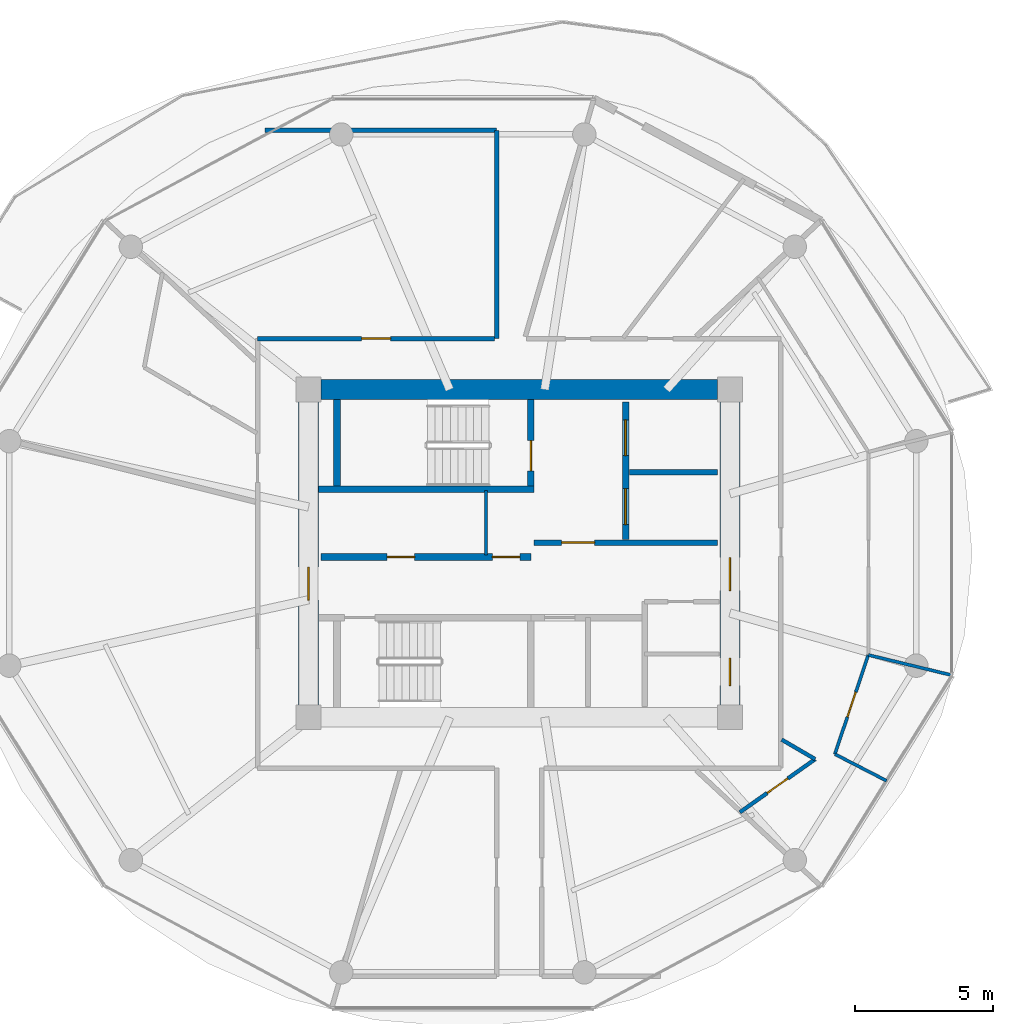
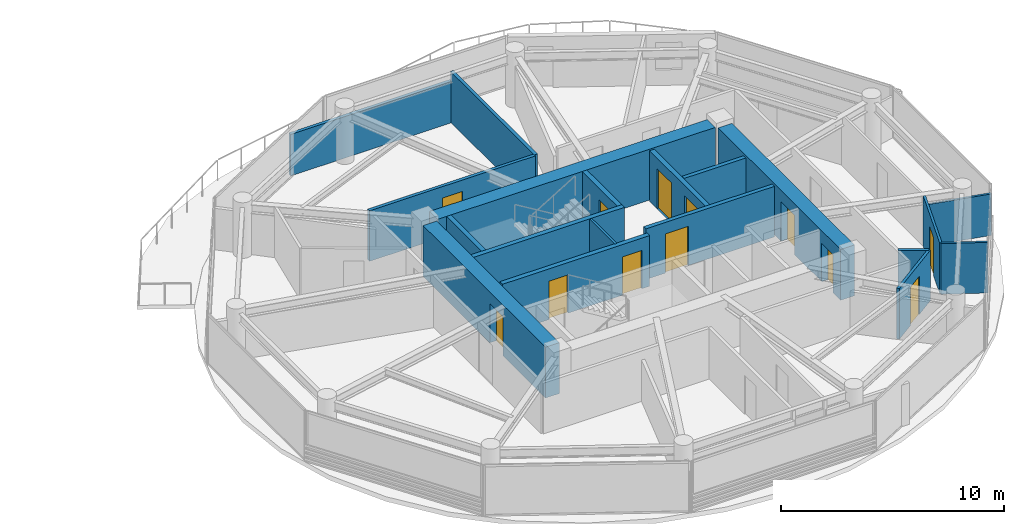
# One storey, part 16 of 24: 19 walls, 12 doors, 12 openings.
"""IFC4 building model written with IfcOpenShell, lengths in metres."""

from ifc_helpers import new_model, si_unit, direction, frame, frame_2d, origin, place, context, subcontext, project, spatial, rectangle, extrude, source, transform, mapped, material, layer, layer_set, type_object, type_shapes, element, fill, save


model = new_model("IFC4")

# Units and contexts
model_context = context("Model", 3, precision=1e-05, world=origin(), true_north=direction((0.0, 1.0)))
body_context = subcontext(model_context, "Body", "Model", "MODEL_VIEW")
ifc_project = project(units=[si_unit("LENGTHUNIT", "METRE"), si_unit("AREAUNIT", "SQUARE_METRE"), si_unit("VOLUMEUNIT", "CUBIC_METRE"), si_unit("PLANEANGLEUNIT", "RADIAN"), si_unit("MASSUNIT", "GRAM", prefix="KILO")], contexts=[model_context])

# Site, building, storey
site_placement = place(None, origin())
site = spatial("IfcSite", under=ifc_project, at=site_placement, CompositionType="ELEMENT")
building_placement = place(site_placement, origin())
building = spatial("IfcBuilding", under=site, at=building_placement, Name="Norrkilde Senior Care Towers", CompositionType="ELEMENT")
storey_placement = place(building_placement, frame((0.0, 0.0, 111.5)))
storey = spatial("IfcBuildingStorey", under=building, at=storey_placement, Name="L34", CompositionType="ELEMENT", Elevation=111.5)

# Wall
ifc_material_1 = material(Name="Concrete C60/75", Category="concrete")
ifc_layer_1 = layer(ifc_material_1, 0.719970703125)
ifc_layer_set_1 = layer_set([ifc_layer_1], Name="Concrete C60/75")
wall_type_1 = type_object("IfcWallType", Name="Core Shear Wall Z2 720", PredefinedType="SHEAR", material=ifc_layer_set_1)
shared_shape_1 = source(origin(), body_context, "Body", "SweptSolid", [
    extrude(rectangle(XDim=14.39990234375, YDim=0.719970703125, at=frame_2d((7.199951171875, 0.0))), origin(), (0.0, 0.0, 1.0), 2.7900390625),
])
wall_1_placement = place(storey_placement, frame((20.800048828125, 5.949951171875, 0.0), z_axis=(0.0, 0.0, 1.0), x_axis=(1.0, 0.0, 0.0)))
element("IfcWall", 1, at=wall_1_placement, inside=storey, type_object=wall_type_1, Name="L34 Core E North Shear Wall", PredefinedType="SHEAR", context=body_context, shape_type="MappedRepresentation", body=[
    mapped(shared_shape_1, transform((0.0, 0.0, 0.0), x_axis=(1.0, 0.0, 0.0), y_axis=(0.0, 1.0, 0.0), z_axis=(0.0, 0.0, 1.0), scale=1.0)),
])

# Wall, opening, door
shared_shape_2 = source(origin(), body_context, "Body", "SweptSolid", [
    extrude(rectangle(XDim=11.0, YDim=0.719970703125, at=frame_2d((5.5, 0.0))), origin(), (0.0, 0.0, 1.0), 2.7900390625),
])
type_shapes(wall_type_1, [shared_shape_1, shared_shape_2])
wall_2_placement = place(storey_placement, frame((20.35009765625, -5.5, 0.0), z_axis=(0.0, 0.0, 1.0), x_axis=(0.0, 1.0, 0.0)))
wall_2 = element("IfcWall", 2, at=wall_2_placement, inside=storey, type_object=wall_type_1, Name="L34 Core E West Shear Wall", PredefinedType="SHEAR", context=body_context, shape_type="MappedRepresentation", body=[
    mapped(shared_shape_2, transform((0.0, 0.0, 0.0), x_axis=(1.0, 0.0, 0.0), y_axis=(0.0, 1.0, 0.0), z_axis=(0.0, 0.0, 1.0), scale=1.0)),
])
opening_1_placement = place(wall_2_placement, frame((3.800048828125, 0.0, 0.0)))
opening_1 = element("IfcOpeningElement", 3, at=opening_1_placement, cuts=wall_2, Name="Opening D-04", PredefinedType="OPENING", context=body_context, shape_type="SweptSolid", body=[
    extrude(rectangle(XDim=1.199951171875, YDim=2.14990234375, at=frame_2d((0.60009765625, 1.074951171875))), frame((0.0, 0.369873046875, 0.0), z_axis=(0.0, -1.0, 0.0), x_axis=(1.0, 0.0, 0.0)), (0.0, 0.0, 1.0), 0.739990234375),
])
ifc_material_2 = material(Name="Galvanised Painted Steel", Category="steel")
door_type_1 = type_object("IfcDoorType", Name="Firefighting Lobby Fire Door 1200x2150", OperationType="NOTDEFINED", PredefinedType="DOOR", material=ifc_material_2)
shared_shape_3 = source(origin(), body_context, "Body", "SweptSolid", [
    extrude(rectangle(XDim=1.199951171875, YDim=2.14990234375, at=frame_2d((0.60009765625, 1.074951171875))), frame((0.0, 0.02490234375, 0.0), z_axis=(0.0, -1.0, 0.0), x_axis=(1.0, 0.0, 0.0)), (0.0, 0.0, 1.0), 0.050048828125),
])
type_shapes(door_type_1, [shared_shape_3])
door_1_placement = place(opening_1_placement, frame((1.199951171875, 0.0, 0.0), z_axis=(0.0, 0.0, 1.0), x_axis=(-1.0, 0.0, 0.0)))
door_1 = element("IfcDoor", 4, at=door_1_placement, inside=storey, type_object=door_type_1, Name="L34 Core E West Portal Door", OperationType="SINGLE_SWING_LEFT", OverallHeight=2.14990234375, OverallWidth=1.199951171875, PredefinedType="DOOR", context=body_context, shape_type="MappedRepresentation", body=[
    mapped(shared_shape_3, transform((0.0, 0.0, 0.0), x_axis=(1.0, 0.0, 0.0), y_axis=(0.0, 1.0, 0.0), z_axis=(0.0, 0.0, 1.0), scale=1.0)),
])
fill(opening_1, door_1)

# Wall, openings, doors
wall_3_placement = place(storey_placement, frame((35.64990234375, 5.5, 0.0), z_axis=(0.0, 0.0, 1.0), x_axis=(0.0, -1.0, 0.0)))
wall_3 = element("IfcWall", 5, at=wall_3_placement, inside=storey, type_object=wall_type_1, Name="L34 Core E East Shear Wall", PredefinedType="SHEAR", context=body_context, shape_type="MappedRepresentation", body=[
    mapped(shared_shape_2, transform((0.0, 0.0, 0.0), x_axis=(1.0, 0.0, 0.0), y_axis=(0.0, 1.0, 0.0), z_axis=(0.0, 0.0, 1.0), scale=1.0)),
])
opening_2_placement = place(wall_3_placement, frame((5.64990234375, 0.0, 0.0)))
opening_2 = element("IfcOpeningElement", 6, at=opening_2_placement, cuts=wall_3, Name="Opening D-04", PredefinedType="OPENING", context=body_context, shape_type="SweptSolid", body=[
    extrude(rectangle(XDim=1.199951171875, YDim=2.14990234375, at=frame_2d((0.60009765625, 1.074951171875))), frame((0.0, 0.369873046875, 0.0), z_axis=(0.0, -1.0, 0.0), x_axis=(1.0, 0.0, 0.0)), (0.0, 0.0, 1.0), 0.739990234375),
])
opening_3_placement = place(wall_3_placement, frame((9.300048828125, 0.0, 0.0)))
opening_3 = element("IfcOpeningElement", 7, at=opening_3_placement, cuts=wall_3, Name="Opening D-10", PredefinedType="OPENING", context=body_context, shape_type="SweptSolid", body=[
    extrude(rectangle(XDim=1.0, YDim=2.10009765625, at=frame_2d((0.5, 1.050048828125))), frame((0.0, 0.369873046875, 0.0), z_axis=(0.0, -1.0, 0.0), x_axis=(1.0, 0.0, 0.0)), (0.0, 0.0, 1.0), 0.739990234375),
])
door_2_placement = place(opening_2_placement, frame((1.199951171875, 0.0, 0.0), z_axis=(0.0, 0.0, 1.0), x_axis=(-1.0, 0.0, 0.0)))
door_2 = element("IfcDoor", 8, at=door_2_placement, inside=storey, type_object=door_type_1, Name="L34 Core E East Portal Door", OperationType="SINGLE_SWING_RIGHT", OverallHeight=2.14990234375, OverallWidth=1.199951171875, PredefinedType="DOOR", context=body_context, shape_type="MappedRepresentation", body=[
    mapped(shared_shape_3, transform((0.0, 0.0, 0.0), x_axis=(1.0, 0.0, 0.0), y_axis=(0.0, 1.0, 0.0), z_axis=(0.0, 0.0, 1.0), scale=1.0)),
])
fill(opening_2, door_2)
door_type_2 = type_object("IfcDoorType", Name="Plant and Riser Rated Door 1000x2100", OperationType="NOTDEFINED", PredefinedType="DOOR", material=ifc_material_2)
shared_shape_4 = source(origin(), body_context, "Body", "SweptSolid", [
    extrude(rectangle(XDim=1.0, YDim=2.10009765625, at=frame_2d((0.5, 1.050048828125))), frame((0.0, 0.02490234375, 0.0), z_axis=(0.0, -1.0, 0.0), x_axis=(1.0, 0.0, 0.0)), (0.0, 0.0, 1.0), 0.050048828125),
])
type_shapes(door_type_2, [shared_shape_4])
door_3_placement = place(opening_3_placement, frame((1.0, 0.0, 0.0), z_axis=(0.0, 0.0, 1.0), x_axis=(-1.0, 0.0, 0.0)))
door_3 = element("IfcDoor", 9, at=door_3_placement, inside=storey, type_object=door_type_2, Name="L34 Ventilation Riser E Door", OperationType="SINGLE_SWING_RIGHT", OverallHeight=2.10009765625, OverallWidth=1.0, PredefinedType="DOOR", context=body_context, shape_type="MappedRepresentation", body=[
    mapped(shared_shape_4, transform((0.0, 0.0, 0.0), x_axis=(1.0, 0.0, 0.0), y_axis=(0.0, 1.0, 0.0), z_axis=(0.0, 0.0, 1.0), scale=1.0)),
])
fill(opening_3, door_3)

ifc_material_3 = material(Name="Concrete C45/55", Category="concrete")
ifc_layer_2 = layer(ifc_material_3, 0.239990234375)
ifc_layer_set_2 = layer_set([ifc_layer_2], Name="Concrete C45/55")
wall_type_2 = type_object("IfcWallType", Name="Lift and Plant Rated Enclosure Partition 240", PredefinedType="PARTITIONING", material=ifc_layer_set_2)
shared_shape_5 = source(origin(), body_context, "Body", "SweptSolid", [
    extrude(rectangle(XDim=5.0, YDim=0.239990234375, at=frame_2d((2.5, 0.0))), origin(), (0.0, 0.0, 1.0), 2.77490234375),
])
wall_4_placement = place(storey_placement, frame((31.860107421875, 0.5, 0.0), z_axis=(0.0, 0.0, 1.0), x_axis=(0.0, 1.0, 0.0)))
wall_4 = element("IfcWall", 10, at=wall_4_placement, inside=storey, type_object=wall_type_2, Name="WL-INT-L34-E-FFLE", PredefinedType="PARTITIONING", context=body_context, shape_type="MappedRepresentation", body=[
    mapped(shared_shape_5, transform((0.0, 0.0, 0.0), x_axis=(1.0, 0.0, 0.0), y_axis=(0.0, 1.0, 0.0), z_axis=(0.0, 0.0, 1.0), scale=1.0)),
])
opening_4_placement = place(wall_4_placement, frame((3.050048828125, 0.0, 0.0)))
opening_4 = element("IfcOpeningElement", 11, at=opening_4_placement, cuts=wall_4, Name="Opening LD-02", PredefinedType="OPENING", context=body_context, shape_type="SweptSolid", body=[
    extrude(rectangle(XDim=1.300048828125, YDim=2.199951171875, at=frame_2d((0.64990234375, 1.10009765625))), frame((0.0, 0.1298828125, 0.0), z_axis=(0.0, -1.0, 0.0), x_axis=(1.0, 0.0, 0.0)), (0.0, 0.0, 1.0), 0.260009765625),
])
opening_5_placement = place(wall_4_placement, frame((0.550048828125, 0.0, 0.0)))
opening_5 = element("IfcOpeningElement", 12, at=opening_5_placement, cuts=wall_4, Name="Opening LD-02", PredefinedType="OPENING", context=body_context, shape_type="SweptSolid", body=[
    extrude(rectangle(XDim=1.300048828125, YDim=2.199951171875, at=frame_2d((0.64990234375, 1.10009765625))), frame((0.0, 0.1298828125, 0.0), z_axis=(0.0, -1.0, 0.0), x_axis=(1.0, 0.0, 0.0)), (0.0, 0.0, 1.0), 0.260009765625),
])
ifc_material_4 = material(Name="Stainless Steel", Category="steel")
door_type_3 = type_object("IfcDoorType", Name="Stretcher and FFL Landing Sliding Door 1300x2200", OperationType="NOTDEFINED", PredefinedType="DOOR", material=ifc_material_4)
shared_shape_6 = source(origin(), body_context, "Body", "SweptSolid", [
    extrude(rectangle(XDim=1.300048828125, YDim=2.199951171875, at=frame_2d((0.64990234375, 1.10009765625))), frame((0.0, 0.02490234375, 0.0), z_axis=(0.0, -1.0, 0.0), x_axis=(1.0, 0.0, 0.0)), (0.0, 0.0, 1.0), 0.050048828125),
])
type_shapes(door_type_3, [shared_shape_6])
door_4_placement = place(opening_4_placement, origin())
door_4 = element("IfcDoor", 13, at=door_4_placement, inside=storey, type_object=door_type_3, Name="L34 Firefighting Lift E1 Landing Door", OperationType="SLIDING_TO_LEFT", OverallHeight=2.199951171875, OverallWidth=1.300048828125, PredefinedType="DOOR", context=body_context, shape_type="MappedRepresentation", body=[
    mapped(shared_shape_6, transform((0.0, 0.0, 0.0), x_axis=(1.0, 0.0, 0.0), y_axis=(0.0, 1.0, 0.0), z_axis=(0.0, 0.0, 1.0), scale=1.0)),
])
fill(opening_4, door_4)
door_5_placement = place(opening_5_placement, origin())
door_5 = element("IfcDoor", 14, at=door_5_placement, inside=storey, type_object=door_type_3, Name="L34 Stretcher Lift E1 Landing Door", OperationType="SLIDING_TO_RIGHT", OverallHeight=2.199951171875, OverallWidth=1.300048828125, PredefinedType="DOOR", context=body_context, shape_type="MappedRepresentation", body=[
    mapped(shared_shape_6, transform((0.0, 0.0, 0.0), x_axis=(1.0, 0.0, 0.0), y_axis=(0.0, 1.0, 0.0), z_axis=(0.0, 0.0, 1.0), scale=1.0)),
])
fill(opening_5, door_5)

# Wall
ifc_layer_3 = layer(ifc_material_3, 0.199951171875)
ifc_layer_set_3 = layer_set([ifc_layer_3], Name="Concrete C45/55")
wall_type_3 = type_object("IfcWallType", Name="Shaft Division and Plant Partition 200", PredefinedType="PARTITIONING", material=ifc_layer_set_3)
shared_shape_7 = source(origin(), body_context, "Body", "SweptSolid", [
    extrude(rectangle(XDim=3.199951171875, YDim=0.199951171875, at=frame_2d((1.60009765625, 0.0))), origin(), (0.0, 0.0, 1.0), 2.77490234375),
])
type_shapes(wall_type_3, [shared_shape_7])
wall_5_placement = place(storey_placement, frame((32.0, 2.949951171875, 0.0), z_axis=(0.0, 0.0, 1.0), x_axis=(1.0, 0.0, 0.0)))
element("IfcWall", 15, at=wall_5_placement, inside=storey, type_object=wall_type_3, Name="WL-INT-L34-E-FFLDIV", PredefinedType="PARTITIONING", context=body_context, shape_type="MappedRepresentation", body=[
    mapped(shared_shape_7, transform((0.0, 0.0, 0.0), x_axis=(1.0, 0.0, 0.0), y_axis=(0.0, 1.0, 0.0), z_axis=(0.0, 0.0, 1.0), scale=1.0)),
])

# Wall, opening, door
ifc_layer_4 = layer(ifc_material_3, 0.2099609375)
ifc_layer_set_4 = layer_set([ifc_layer_4], Name="Concrete C45/55")
wall_type_4 = type_object("IfcWallType", Name="Firefighting Lobby Wall 210", PredefinedType="PARTITIONING", material=ifc_layer_set_4)
shared_shape_8 = source(origin(), body_context, "Body", "SweptSolid", [
    extrude(rectangle(XDim=6.659912109375, YDim=0.2099609375, at=frame_2d((3.330078125, 0.0))), origin(), (0.0, 0.0, 1.0), 2.77490234375),
])
type_shapes(wall_type_4, [shared_shape_8])
wall_6_placement = place(storey_placement, frame((28.5400390625, 0.389892578125, 0.0), z_axis=(0.0, 0.0, 1.0), x_axis=(1.0, 0.0, 0.0)))
wall_6 = element("IfcWall", 16, at=wall_6_placement, inside=storey, type_object=wall_type_4, Name="WL-INT-L34-E-FFLS", PredefinedType="PARTITIONING", context=body_context, shape_type="MappedRepresentation", body=[
    mapped(shared_shape_8, transform((0.0, 0.0, 0.0), x_axis=(1.0, 0.0, 0.0), y_axis=(0.0, 1.0, 0.0), z_axis=(0.0, 0.0, 1.0), scale=1.0)),
])
opening_6_placement = place(wall_6_placement, frame((1.0, 0.0, 0.0)))
opening_6 = element("IfcOpeningElement", 17, at=opening_6_placement, cuts=wall_6, Name="Opening D-04", PredefinedType="OPENING", context=body_context, shape_type="SweptSolid", body=[
    extrude(rectangle(XDim=1.199951171875, YDim=2.14990234375, at=frame_2d((0.60009765625, 1.074951171875))), frame((0.0, 0.114990234375, 0.0), z_axis=(0.0, -1.0, 0.0), x_axis=(1.0, 0.0, 0.0)), (0.0, 0.0, 1.0), 0.22998046875),
])
door_6_placement = place(opening_6_placement, frame((1.199951171875, 0.0, 0.0), z_axis=(0.0, 0.0, 1.0), x_axis=(-1.0, 0.0, 0.0)))
door_6 = element("IfcDoor", 18, at=door_6_placement, inside=storey, type_object=door_type_1, Name="L34 Firefighting Lobby E Door", OperationType="SINGLE_SWING_LEFT", OverallHeight=2.14990234375, OverallWidth=1.199951171875, PredefinedType="DOOR", context=body_context, shape_type="MappedRepresentation", body=[
    mapped(shared_shape_3, transform((0.0, 0.0, 0.0), x_axis=(1.0, 0.0, 0.0), y_axis=(0.0, 1.0, 0.0), z_axis=(0.0, 0.0, 1.0), scale=1.0)),
])
fill(opening_6, door_6)

# Wall, openings, doors
shared_shape_9 = source(origin(), body_context, "Body", "SweptSolid", [
    extrude(rectangle(XDim=7.619873046875, YDim=0.239990234375, at=frame_2d((3.81005859375, 0.0))), origin(), (0.0, 0.0, 1.0), 2.77490234375),
])
type_shapes(wall_type_2, [shared_shape_5, shared_shape_9])
wall_7_placement = place(storey_placement, frame((20.800048828125, -0.1298828125, 0.0), z_axis=(0.0, 0.0, 1.0), x_axis=(1.0, 0.0, 0.0)))
wall_7 = element("IfcWall", 19, at=wall_7_placement, inside=storey, type_object=wall_type_2, Name="WL-INT-L34-E-PKAS", PredefinedType="PARTITIONING", context=body_context, shape_type="MappedRepresentation", body=[
    mapped(shared_shape_9, transform((0.0, 0.0, 0.0), x_axis=(1.0, 0.0, 0.0), y_axis=(0.0, 1.0, 0.0), z_axis=(0.0, 0.0, 1.0), scale=1.0)),
])
opening_7_placement = place(wall_7_placement, frame((6.219970703125, 0.0, 0.0)))
opening_7 = element("IfcOpeningElement", 20, at=opening_7_placement, cuts=wall_7, Name="Opening D-10", PredefinedType="OPENING", context=body_context, shape_type="SweptSolid", body=[
    extrude(rectangle(XDim=1.0, YDim=2.10009765625, at=frame_2d((0.5, 1.050048828125))), frame((0.0, 0.1298828125, 0.0), z_axis=(0.0, -1.0, 0.0), x_axis=(1.0, 0.0, 0.0)), (0.0, 0.0, 1.0), 0.260009765625),
])
opening_8_placement = place(wall_7_placement, frame((2.39990234375, 0.0, 0.0)))
opening_8 = element("IfcOpeningElement", 21, at=opening_8_placement, cuts=wall_7, Name="Opening D-10", PredefinedType="OPENING", context=body_context, shape_type="SweptSolid", body=[
    extrude(rectangle(XDim=1.0, YDim=2.10009765625, at=frame_2d((0.5, 1.050048828125))), frame((0.0, 0.1298828125, 0.0), z_axis=(0.0, -1.0, 0.0), x_axis=(1.0, 0.0, 0.0)), (0.0, 0.0, 1.0), 0.260009765625),
])
door_7_placement = place(opening_7_placement, frame((1.0, 0.0, 0.0), z_axis=(0.0, 0.0, 1.0), x_axis=(-1.0, 0.0, 0.0)))
door_7 = element("IfcDoor", 22, at=door_7_placement, inside=storey, type_object=door_type_2, Name="L34 Electrical Riser E Door", OperationType="SINGLE_SWING_LEFT", OverallHeight=2.10009765625, OverallWidth=1.0, PredefinedType="DOOR", context=body_context, shape_type="MappedRepresentation", body=[
    mapped(shared_shape_4, transform((0.0, 0.0, 0.0), x_axis=(1.0, 0.0, 0.0), y_axis=(0.0, 1.0, 0.0), z_axis=(0.0, 0.0, 1.0), scale=1.0)),
])
fill(opening_7, door_7)
door_8_placement = place(opening_8_placement, frame((1.0, 0.0, 0.0), z_axis=(0.0, 0.0, 1.0), x_axis=(-1.0, 0.0, 0.0)))
door_8 = element("IfcDoor", 23, at=door_8_placement, inside=storey, type_object=door_type_2, Name="L34 Clean Supply Store E Door", OperationType="SINGLE_SWING_LEFT", OverallHeight=2.10009765625, OverallWidth=1.0, PredefinedType="DOOR", context=body_context, shape_type="MappedRepresentation", body=[
    mapped(shared_shape_4, transform((0.0, 0.0, 0.0), x_axis=(1.0, 0.0, 0.0), y_axis=(0.0, 1.0, 0.0), z_axis=(0.0, 0.0, 1.0), scale=1.0)),
])
fill(opening_8, door_8)

# Walls
ifc_material_5 = material(Name="Gypsum Acoustic Board")
ifc_layer_5 = layer(ifc_material_5, 0.114990234375)
ifc_layer_set_5 = layer_set([ifc_layer_5], Name="Gypsum Acoustic Board")
wall_type_5 = type_object("IfcWallType", Name="Internal Room Partition 115", PredefinedType="PARTITIONING", material=ifc_layer_set_5)
shared_shape_10 = source(origin(), body_context, "Body", "SweptSolid", [
    extrude(rectangle(XDim=2.330078125, YDim=0.114990234375, at=frame_2d((1.1650390625, 0.0))), origin(), (0.0, 0.0, 1.0), 2.77490234375),
])
wall_8_placement = place(storey_placement, frame((26.7900390625, -0.050048828125, 0.0), z_axis=(0.0, 0.0, 1.0), x_axis=(0.0, 1.0, 0.0)))
element("IfcWall", 24, at=wall_8_placement, inside=storey, type_object=wall_type_5, Name="WL-INT-L34-E-RISW", PredefinedType="PARTITIONING", context=body_context, shape_type="MappedRepresentation", body=[
    mapped(shared_shape_10, transform((0.0, 0.0, 0.0), x_axis=(1.0, 0.0, 0.0), y_axis=(0.0, 1.0, 0.0), z_axis=(0.0, 0.0, 1.0), scale=1.0)),
])
ifc_layer_6 = layer(ifc_material_3, 0.239990234375)
ifc_layer_set_6 = layer_set([ifc_layer_6], Name="Concrete C45/55")
wall_type_6 = type_object("IfcWallType", Name="Shaft and Stair Enclosure Wall 240", PredefinedType="PARTITIONING", material=ifc_layer_set_6)
shared_shape_11 = source(origin(), body_context, "Body", "SweptSolid", [
    extrude(rectangle(XDim=7.830078125, YDim=0.239990234375, at=frame_2d((3.9150390625, 0.0))), origin(), (0.0, 0.0, 1.0), 2.7900390625),
])
wall_9_placement = place(storey_placement, frame((20.7099609375, 2.330078125, 0.0), z_axis=(0.0, 0.0, 1.0), x_axis=(1.0, 0.0, 0.0)))
element("IfcWall", 25, at=wall_9_placement, inside=storey, type_object=wall_type_6, Name="WL-INT-L34-E-ST1S", PredefinedType="PARTITIONING", context=body_context, shape_type="MappedRepresentation", body=[
    mapped(shared_shape_11, transform((0.0, 0.0, 0.0), x_axis=(1.0, 0.0, 0.0), y_axis=(0.0, 1.0, 0.0), z_axis=(0.0, 0.0, 1.0), scale=1.0)),
])
shared_shape_12 = source(origin(), body_context, "Body", "SweptSolid", [
    extrude(rectangle(XDim=3.14013671875, YDim=0.239990234375, at=frame_2d((1.570068359375, 0.0))), origin(), (0.0, 0.0, 1.0), 2.7900390625),
])
type_shapes(wall_type_6, [shared_shape_11, shared_shape_12])
wall_10_placement = place(storey_placement, frame((21.3798828125, 2.449951171875, 0.0), z_axis=(0.0, 0.0, 1.0), x_axis=(0.0, 1.0, 0.0)))
element("IfcWall", 26, at=wall_10_placement, inside=storey, type_object=wall_type_6, Name="WL-INT-L34-E-ST1W", PredefinedType="PARTITIONING", context=body_context, shape_type="MappedRepresentation", body=[
    mapped(shared_shape_12, transform((0.0, 0.0, 0.0), x_axis=(1.0, 0.0, 0.0), y_axis=(0.0, 1.0, 0.0), z_axis=(0.0, 0.0, 1.0), scale=1.0)),
])

# Wall, opening, door
wall_11_placement = place(storey_placement, frame((28.419921875, 2.449951171875, 0.0), z_axis=(0.0, 0.0, 1.0), x_axis=(0.0, 1.0, 0.0)))
wall_11 = element("IfcWall", 27, at=wall_11_placement, inside=storey, type_object=wall_type_6, Name="WL-INT-L34-E-ST1E", PredefinedType="PARTITIONING", context=body_context, shape_type="MappedRepresentation", body=[
    mapped(shared_shape_12, transform((0.0, 0.0, 0.0), x_axis=(1.0, 0.0, 0.0), y_axis=(0.0, 1.0, 0.0), z_axis=(0.0, 0.0, 1.0), scale=1.0)),
])
opening_9_placement = place(wall_11_placement, frame((0.550048828125, 0.0, 0.0)))
opening_9 = element("IfcOpeningElement", 28, at=opening_9_placement, cuts=wall_11, Name="Opening D-03", PredefinedType="OPENING", context=body_context, shape_type="SweptSolid", body=[
    extrude(rectangle(XDim=1.10009765625, YDim=2.14990234375, at=frame_2d((0.550048828125, 1.074951171875))), frame((0.0, 0.1298828125, 0.0), z_axis=(0.0, -1.0, 0.0), x_axis=(1.0, 0.0, 0.0)), (0.0, 0.0, 1.0), 0.260009765625),
])
door_type_4 = type_object("IfcDoorType", Name="Stairwell Protected Fire Door 1100x2150", OperationType="NOTDEFINED", PredefinedType="DOOR", material=ifc_material_2)
shared_shape_13 = source(origin(), body_context, "Body", "SweptSolid", [
    extrude(rectangle(XDim=1.10009765625, YDim=2.14990234375, at=frame_2d((0.550048828125, 1.074951171875))), frame((0.0, 0.02490234375, 0.0), z_axis=(0.0, -1.0, 0.0), x_axis=(1.0, 0.0, 0.0)), (0.0, 0.0, 1.0), 0.050048828125),
])
type_shapes(door_type_4, [shared_shape_13])
door_9_placement = place(opening_9_placement, origin())
door_9 = element("IfcDoor", 29, at=door_9_placement, inside=storey, type_object=door_type_4, Name="L34 Stair E1 Fire Door", OperationType="SINGLE_SWING_LEFT", OverallHeight=2.14990234375, OverallWidth=1.10009765625, PredefinedType="DOOR", context=body_context, shape_type="MappedRepresentation", body=[
    mapped(shared_shape_13, transform((0.0, 0.0, 0.0), x_axis=(1.0, 0.0, 0.0), y_axis=(0.0, 1.0, 0.0), z_axis=(0.0, 0.0, 1.0), scale=1.0)),
])
fill(opening_9, door_9)

ifc_layer_7 = layer(ifc_material_5, 0.1650390625)
ifc_layer_set_7 = layer_set([ifc_layer_7], Name="Gypsum Acoustic Board")
wall_type_7 = type_object("IfcWallType", Name="Corridor Rated Partition 165", PredefinedType="PARTITIONING", material=ifc_layer_set_7)
shared_shape_14 = source(origin(), body_context, "Body", "SweptSolid", [
    extrude(rectangle(XDim=8.60009765625, YDim=0.1650390625, at=frame_2d((4.300048828125, 0.0))), origin(), (0.0, 0.0, 1.0), 2.77490234375),
])
wall_12_placement = place(storey_placement, frame((18.5, 7.800048828125, 0.0), z_axis=(0.0, 0.0, 1.0), x_axis=(1.0, 0.0, 0.0)))
wall_12 = element("IfcWall", 30, at=wall_12_placement, inside=storey, type_object=wall_type_7, Name="WL-INT-L34-E-CRW-N-0", PredefinedType="PARTITIONING", context=body_context, shape_type="MappedRepresentation", body=[
    mapped(shared_shape_14, transform((0.0, 0.0, 0.0), x_axis=(1.0, 0.0, 0.0), y_axis=(0.0, 1.0, 0.0), z_axis=(0.0, 0.0, 1.0), scale=1.0)),
])
opening_10_placement = place(wall_12_placement, frame((3.77490234375, 0.0, 0.0)))
opening_10 = element("IfcOpeningElement", 31, at=opening_10_placement, cuts=wall_12, Name="Opening D-06", PredefinedType="OPENING", context=body_context, shape_type="SweptSolid", body=[
    extrude(rectangle(XDim=1.050048828125, YDim=2.14990234375, at=frame_2d((0.52490234375, 1.074951171875))), frame((0.0, 0.092529296875, 0.0), z_axis=(0.0, -1.0, 0.0), x_axis=(1.0, 0.0, 0.0)), (0.0, 0.0, 1.0), 0.18505859375),
])
ifc_material_6 = material(Name="Nordic Ash Timber", Category="wood")
door_type_5 = type_object("IfcDoorType", Name="Apartment Entrance Fire Door 1050x2150", OperationType="NOTDEFINED", PredefinedType="DOOR", material=ifc_material_6)
shared_shape_15 = source(origin(), body_context, "Body", "SweptSolid", [
    extrude(rectangle(XDim=1.050048828125, YDim=2.14990234375, at=frame_2d((0.52490234375, 1.074951171875))), frame((0.0, 0.02490234375, 0.0), z_axis=(0.0, -1.0, 0.0), x_axis=(1.0, 0.0, 0.0)), (0.0, 0.0, 1.0), 0.050048828125),
])
type_shapes(door_type_5, [shared_shape_15])
door_10_placement = place(opening_10_placement, frame((1.050048828125, 0.0, 0.0), z_axis=(0.0, 0.0, 1.0), x_axis=(-1.0, 0.0, 0.0)))
door_10 = element("IfcDoor", 32, at=door_10_placement, inside=storey, type_object=door_type_5, Name="L34 Reading Lounge NWL Door", OperationType="SINGLE_SWING_RIGHT", OverallHeight=2.14990234375, OverallWidth=1.050048828125, PredefinedType="DOOR", context=body_context, shape_type="MappedRepresentation", body=[
    mapped(shared_shape_15, transform((0.0, 0.0, 0.0), x_axis=(1.0, 0.0, 0.0), y_axis=(0.0, 1.0, 0.0), z_axis=(0.0, 0.0, 1.0), scale=1.0)),
])
fill(opening_10, door_10)

# Walls
shared_shape_16 = source(origin(), body_context, "Body", "SweptSolid", [
    extrude(rectangle(XDim=7.56005859375, YDim=0.1650390625, at=frame_2d((3.780029296875, 0.0))), origin(), (0.0, 0.0, 1.0), 2.77490234375),
])
wall_13_placement = place(storey_placement, frame((27.179931640625, 7.800048828125, 0.0), z_axis=(0.0, 0.0, 1.0), x_axis=(0.0, 1.0, 0.0)))
element("IfcWall", 33, at=wall_13_placement, inside=storey, type_object=wall_type_7, Name="WL-INT-L34-E-PKW-NWL", PredefinedType="PARTITIONING", context=body_context, shape_type="MappedRepresentation", body=[
    mapped(shared_shape_16, transform((0.0, 0.0, 0.0), x_axis=(1.0, 0.0, 0.0), y_axis=(0.0, 1.0, 0.0), z_axis=(0.0, 0.0, 1.0), scale=1.0)),
])
shared_shape_17 = source(origin(), body_context, "Body", "SweptSolid", [
    extrude(rectangle(XDim=8.406982421875, YDim=0.1650390625, at=frame_2d((4.20361328125, 0.0))), origin(), (0.0, 0.0, 1.0), 2.27490234375),
])
type_shapes(wall_type_7, [shared_shape_14, shared_shape_16, shared_shape_17])
wall_14_placement = place(storey_placement, frame((18.77294921875, 15.360107421875, 0.0), z_axis=(0.0, 0.0, 1.0), x_axis=(1.0, 0.0, 0.0)))
element("IfcWall", 34, at=wall_14_placement, inside=storey, type_object=wall_type_7, Name="WL-INT-L34-E-PKH-NWL-0", PredefinedType="PARTITIONING", context=body_context, shape_type="MappedRepresentation", body=[
    mapped(shared_shape_17, transform((0.0, 0.0, 0.0), x_axis=(1.0, 0.0, 0.0), y_axis=(0.0, 1.0, 0.0), z_axis=(0.0, 0.0, 1.0), scale=1.0)),
])
ifc_layer_8 = layer(ifc_material_5, 0.139892578125)
ifc_layer_set_8 = layer_set([ifc_layer_8], Name="Gypsum Acoustic Board")
wall_type_8 = type_object("IfcWallType", Name="En-suite Wet Room Wall 140", PredefinedType="PARTITIONING", material=ifc_layer_set_8)
shared_shape_18 = source(origin(), body_context, "Body", "SweptSolid", [
    extrude(rectangle(XDim=1.407470703125, YDim=0.139892578125, at=frame_2d((0.70361328125, 0.0))), origin(), (0.0, 0.0, 1.0), 2.77490234375),
])
wall_15_placement = place(storey_placement, frame((37.530029296875, -6.761962890625, 0.0), z_axis=(0.0, 0.0, 1.0), x_axis=(0.863539718977, -0.504280828258, 0.0)))
element("IfcWall", 35, at=wall_15_placement, inside=storey, type_object=wall_type_8, Name="WL-INT-L34-E-UBTS-10", PredefinedType="PARTITIONING", context=body_context, shape_type="MappedRepresentation", body=[
    mapped(shared_shape_18, transform((0.0, 0.0, 0.0), x_axis=(1.0, 0.0, 0.0), y_axis=(0.0, 1.0, 0.0), z_axis=(0.0, 0.0, 1.0), scale=1.0)),
])

# Wall, opening, door
shared_shape_19 = source(origin(), body_context, "Body", "SweptSolid", [
    extrude(rectangle(XDim=3.346923828125, YDim=0.139892578125, at=frame_2d((1.67333984375, 0.0))), origin(), (0.0, 0.0, 1.0), 2.77490234375),
])
type_shapes(wall_type_8, [shared_shape_18, shared_shape_19])
wall_16_placement = place(storey_placement, frame((38.745361328125, -7.4716796875, 0.0), z_axis=(0.0, 0.0, 1.0), x_axis=(-0.81705680263, -0.576557179537, 0.0)))
wall_16 = element("IfcWall", 36, at=wall_16_placement, inside=storey, type_object=wall_type_8, Name="WL-INT-L34-E-UBTF-10", PredefinedType="PARTITIONING", context=body_context, shape_type="MappedRepresentation", body=[
    mapped(shared_shape_19, transform((0.0, 0.0, 0.0), x_axis=(1.0, 0.0, 0.0), y_axis=(0.0, 1.0, 0.0), z_axis=(0.0, 0.0, 1.0), scale=1.0)),
])
opening_11_placement = place(wall_16_placement, frame((1.213623046875, 0.0, 0.0)))
opening_11 = element("IfcOpeningElement", 37, at=opening_11_placement, cuts=wall_16, Name="Opening D-08", PredefinedType="OPENING", context=body_context, shape_type="SweptSolid", body=[
    extrude(rectangle(XDim=0.919921875, YDim=2.10009765625, at=frame_2d((0.4599609375, 1.050048828125))), frame((0.0, 0.079833984375, 0.0), z_axis=(0.0, -1.0, 0.0), x_axis=(1.0, 0.0, 0.0)), (0.0, 0.0, 1.0), 0.159912109375),
])
door_type_6 = type_object("IfcDoorType", Name="Accessible Wet Room Door 920x2100", OperationType="NOTDEFINED", PredefinedType="DOOR", material=ifc_material_6)
shared_shape_20 = source(origin(), body_context, "Body", "SweptSolid", [
    extrude(rectangle(XDim=0.919921875, YDim=2.10009765625, at=frame_2d((0.4599609375, 1.050048828125))), frame((0.0, 0.02490234375, 0.0), z_axis=(0.0, -1.0, 0.0), x_axis=(1.0, 0.0, 0.0)), (0.0, 0.0, 1.0), 0.050048828125),
])
type_shapes(door_type_6, [shared_shape_20])
door_11_placement = place(opening_11_placement, origin())
door_11 = element("IfcDoor", 38, at=door_11_placement, inside=storey, type_object=door_type_6, Name="Apartment 34C Bathroom Door", OperationType="SINGLE_SWING_RIGHT", OverallHeight=2.10009765625, OverallWidth=0.919921875, PredefinedType="DOOR", context=body_context, shape_type="MappedRepresentation", body=[
    mapped(shared_shape_20, transform((0.0, 0.0, 0.0), x_axis=(1.0, 0.0, 0.0), y_axis=(0.0, 1.0, 0.0), z_axis=(0.0, 0.0, 1.0), scale=1.0)),
])
fill(opening_11, door_11)

# Walls
shared_shape_21 = source(origin(), body_context, "Body", "SweptSolid", [
    extrude(rectangle(XDim=3.13330078125, YDim=0.114990234375, at=frame_2d((1.566650390625, 0.0))), origin(), (0.0, 0.0, 1.0), 2.27490234375),
])
wall_17_placement = place(storey_placement, frame((40.677978515625, -3.687744140625, 0.0), z_axis=(0.0, 0.0, 1.0), x_axis=(0.971863619682, -0.235544273414, 0.0)))
element("IfcWall", 39, at=wall_17_placement, inside=storey, type_object=wall_type_5, Name="WL-INT-L34-E-UBR-10-1", PredefinedType="PARTITIONING", context=body_context, shape_type="MappedRepresentation", body=[
    mapped(shared_shape_21, transform((0.0, 0.0, 0.0), x_axis=(1.0, 0.0, 0.0), y_axis=(0.0, 1.0, 0.0), z_axis=(0.0, 0.0, 1.0), scale=1.0)),
])
shared_shape_22 = source(origin(), body_context, "Body", "SweptSolid", [
    extrude(rectangle(XDim=2.1171875, YDim=0.114990234375, at=frame_2d((1.05859375, 0.0))), origin(), (0.0, 0.0, 1.0), 2.77490234375),
])
wall_18_placement = place(storey_placement, frame((39.459716796875, -7.288818359375, 0.0), z_axis=(0.0, 0.0, 1.0), x_axis=(0.888941834945, -0.45802010227, 0.0)))
element("IfcWall", 40, at=wall_18_placement, inside=storey, type_object=wall_type_5, Name="WL-INT-L34-E-UKTS-10", PredefinedType="PARTITIONING", context=body_context, shape_type="MappedRepresentation", body=[
    mapped(shared_shape_22, transform((0.0, 0.0, 0.0), x_axis=(1.0, 0.0, 0.0), y_axis=(0.0, 1.0, 0.0), z_axis=(0.0, 0.0, 1.0), scale=1.0)),
])

# Wall, opening, door
shared_shape_23 = source(origin(), body_context, "Body", "SweptSolid", [
    extrude(rectangle(XDim=3.80126953125, YDim=0.114990234375, at=frame_2d((1.900634765625, 0.0))), origin(), (0.0, 0.0, 1.0), 2.77490234375),
])
type_shapes(wall_type_5, [shared_shape_10, shared_shape_21, shared_shape_22, shared_shape_23])
wall_19_placement = place(storey_placement, frame((39.459716796875, -7.288818359375, 0.0), z_axis=(0.0, 0.0, 1.0), x_axis=(0.320097904666, 0.947384468644, 0.0)))
wall_19 = element("IfcWall", 41, at=wall_19_placement, inside=storey, type_object=wall_type_5, Name="WL-INT-L34-E-UKTF-10", PredefinedType="PARTITIONING", context=body_context, shape_type="MappedRepresentation", body=[
    mapped(shared_shape_23, transform((0.0, 0.0, 0.0), x_axis=(1.0, 0.0, 0.0), y_axis=(0.0, 1.0, 0.0), z_axis=(0.0, 0.0, 1.0), scale=1.0)),
])
opening_12_placement = place(wall_19_placement, frame((1.42578125, 0.0, 0.0)))
opening_12 = element("IfcOpeningElement", 42, at=opening_12_placement, cuts=wall_19, Name="Opening D-07", PredefinedType="OPENING", context=body_context, shape_type="SweptSolid", body=[
    extrude(rectangle(XDim=0.949951171875, YDim=2.10009765625, at=frame_2d((0.47509765625, 1.050048828125))), frame((0.0, 0.0673828125, 0.0), z_axis=(0.0, -1.0, 0.0), x_axis=(1.0, 0.0, 0.0)), (0.0, 0.0, 1.0), 0.135009765625),
])
door_type_7 = type_object("IfcDoorType", Name="Internal Suite Bedroom Door 950x2100", OperationType="NOTDEFINED", PredefinedType="DOOR", material=ifc_material_6)
shared_shape_24 = source(origin(), body_context, "Body", "SweptSolid", [
    extrude(rectangle(XDim=0.949951171875, YDim=2.10009765625, at=frame_2d((0.47509765625, 1.050048828125))), frame((0.0, 0.02490234375, 0.0), z_axis=(0.0, -1.0, 0.0), x_axis=(1.0, 0.0, 0.0)), (0.0, 0.0, 1.0), 0.050048828125),
])
type_shapes(door_type_7, [shared_shape_24])
door_12_placement = place(opening_12_placement, frame((0.949951171875, 0.0, 0.0), z_axis=(0.0, 0.0, 1.0), x_axis=(-1.0, 0.0, 0.0)))
door_12 = element("IfcDoor", 43, at=door_12_placement, inside=storey, type_object=door_type_7, Name="Apartment 34C Kitchen Door", OperationType="SINGLE_SWING_LEFT", OverallHeight=2.10009765625, OverallWidth=0.949951171875, PredefinedType="DOOR", context=body_context, shape_type="MappedRepresentation", body=[
    mapped(shared_shape_24, transform((0.0, 0.0, 0.0), x_axis=(1.0, 0.0, 0.0), y_axis=(0.0, 1.0, 0.0), z_axis=(0.0, 0.0, 1.0), scale=1.0)),
])
fill(opening_12, door_12)

save(model, "model.ifc")
